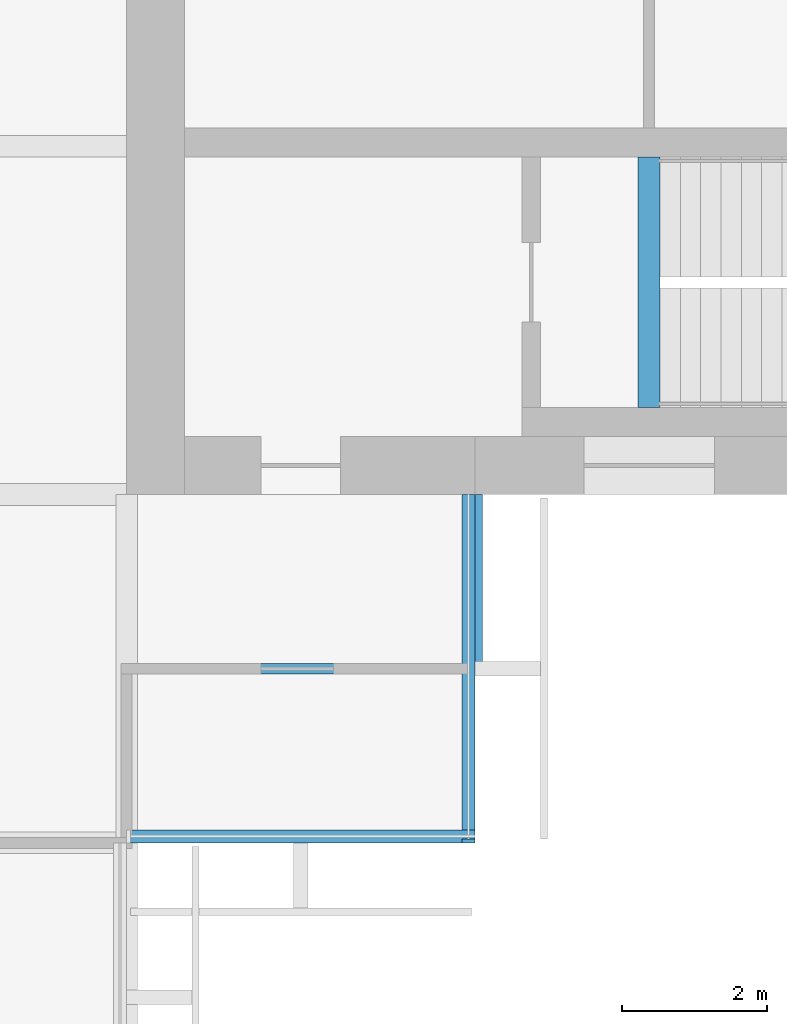
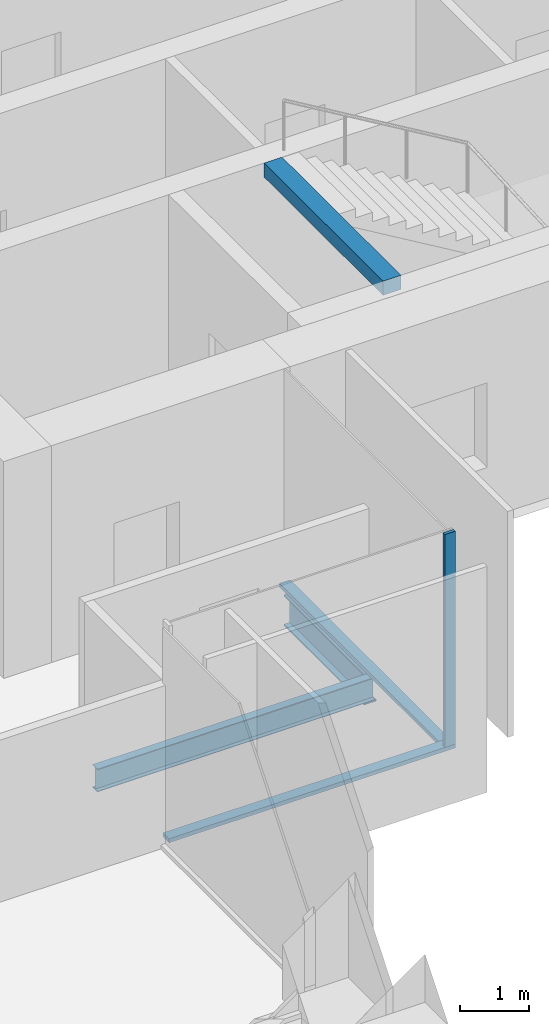
# One storey, part 4 of 13: 3 beams, 3 members, 2 elements without a shape of their own.
"""IFC4 building model written with IfcOpenShell, lengths in metres."""

from ifc_helpers import new_model, si_unit, direction, frame, origin, origin_2d, place, context, subcontext, project, spatial, rectangle, i_section, extrude, material, material_profile, profile_set, type_object, element, aggregate, save


model = new_model("IFC4")

# Units and contexts
model_context = context("Model", 3, precision=1e-05, world=origin(), true_north=direction((0.0, 1.0)))
body_context = subcontext(model_context, "Body", "Model", "MODEL_VIEW")
ifc_project = project(units=[si_unit("LENGTHUNIT", "METRE"), si_unit("AREAUNIT", "SQUARE_METRE"), si_unit("VOLUMEUNIT", "CUBIC_METRE"), si_unit("PLANEANGLEUNIT", "RADIAN"), si_unit("MASSUNIT", "GRAM", prefix="KILO")], contexts=[model_context])

# Site, building, storey
site_placement = place(None, origin())
site = spatial("IfcSite", under=ifc_project, at=site_placement, CompositionType="ELEMENT")
building_placement = place(site_placement, origin())
building = spatial("IfcBuilding", under=site, at=building_placement, Name="Baori Bourse Tower", CompositionType="ELEMENT")
storey_placement = place(building_placement, frame((0.0, 0.0, 237.199951171875)))
storey = spatial("IfcBuildingStorey", under=building, at=storey_placement, Name="L52", CompositionType="ELEMENT", Elevation=237.199951171875)

# Curtain wall, member
ifc_material_1 = material(Name="Pale anodised aluminium", Category="aluminium")
curtain_wall_type = type_object("IfcCurtainWallType", Name="CW2 Curtain wall", PredefinedType="NOTDEFINED", material=ifc_material_1)
curtain_wall_1_placement = place(storey_placement, origin())
curtain_wall_1 = element("IfcCurtainWall", 1, at=curtain_wall_1_placement, inside=storey, type_object=curtain_wall_type, Name="Curtain wall CW2 L52 14", PredefinedType="NOTDEFINED")
ifc_material_2 = material(Name="Pale anodised aluminium", Category="aluminium")
ifc_material_profile_1 = material_profile(ifc_material_2, rectangle(XDim=0.179931640625, YDim=0.054931640625, at=origin_2d()), Name="Mullion 55x180")
ifc_profile_set_1 = profile_set([ifc_material_profile_1], Name="Pale anodised aluminium")
member_type_1 = type_object("IfcMemberType", Name="CW2 Curtain wall mullion", PredefinedType="MULLION", material=ifc_profile_set_1)
member_1_placement = place(storey_placement, frame((43.110107421875, 4.827392578125, 0.070068359375), z_axis=(0.0, 0.0, 1.0), x_axis=(-1.0, 0.0, 0.0)))
member_1 = element("IfcMember", 2, at=member_1_placement, type_object=member_type_1, Name="Curtain wall CW2 mullion", PredefinedType="MULLION", context=body_context, shape_type="SweptSolid", body=[
    extrude(rectangle(XDim=0.179931640625, YDim=0.054931640625, at=origin_2d()), origin(), (0.0, 0.0, 1.0), 3.77001953125),
])

curtain_wall_2_placement = place(storey_placement, origin())
curtain_wall_2 = element("IfcCurtainWall", 3, at=curtain_wall_2_placement, inside=storey, type_object=curtain_wall_type, Name="Curtain wall CW2 L52 13", PredefinedType="NOTDEFINED")
ifc_material_3 = material(Name="Pale anodised aluminium", Category="aluminium")
ifc_material_profile_2 = material_profile(ifc_material_3, rectangle(XDim=0.179931640625, YDim=0.070068359375, at=origin_2d()), Name="Transom 70x180")
ifc_profile_set_2 = profile_set([ifc_material_profile_2], Name="Pale anodised aluminium")
member_type_2 = type_object("IfcMemberType", Name="CW2 Curtain wall transom", PredefinedType="USERDEFINED", material=ifc_profile_set_2)
member_2_placement = place(storey_placement, frame((38.39990234375, 4.889892578125, 0.03515625), z_axis=(1.0, 0.0, 0.0), x_axis=(0.0, 1.0, 0.0)))
member_2 = element("IfcMember", 4, at=member_2_placement, type_object=member_type_2, Name="Curtain wall CW2 sill rail", ObjectType="TRANSOM", PredefinedType="USERDEFINED", context=body_context, shape_type="SweptSolid", body=[
    extrude(rectangle(XDim=0.179931640625, YDim=0.070068359375, at=origin_2d()), origin(), (0.0, 0.0, 1.0), 4.800048828125),
])
aggregate(curtain_wall_2, [member_2])

# Member
member_3_placement = place(storey_placement, frame((43.110107421875, 4.800048828125, 0.03515625), z_axis=(0.0, 1.0, 0.0), x_axis=(-1.0, 0.0, 0.0)))
member_3 = element("IfcMember", 5, at=member_3_placement, type_object=member_type_2, Name="Curtain wall CW2 sill rail", ObjectType="TRANSOM", PredefinedType="USERDEFINED", context=body_context, shape_type="SweptSolid", body=[
    extrude(rectangle(XDim=0.179931640625, YDim=0.070068359375, at=origin_2d()), origin(), (0.0, 0.0, 1.0), 4.800048828125),
])

aggregate(curtain_wall_1, [member_3, member_1])

# Beams
ifc_material_4 = material(Name="Steel A992 Gr 50", Category="steel")
ifc_material_profile_3 = material_profile(ifc_material_4, i_section(OverallWidth=0.21240234375, OverallDepth=0.54345703125, WebThickness=0.01318359375, FlangeThickness=0.021240234375, at=origin_2d()), Name="W21x83")
ifc_profile_set_3 = profile_set([ifc_material_profile_3], Name="Steel A992 Gr 50")
beam_type_1 = type_object("IfcBeamType", Name="Core bracket W21x83", PredefinedType="BEAM", material=ifc_profile_set_3)
beam_1_placement = place(storey_placement, frame((43.199951171875, 7.270263671875, -0.431640625), z_axis=(0.0, 1.0, 0.0), x_axis=(-1.0, 0.0, 0.0)))
element("IfcBeam", 6, at=beam_1_placement, inside=storey, type_object=beam_type_1, Name="Core bracket L52", PredefinedType="BEAM", context=body_context, shape_type="SweptSolid", body=[
    extrude(i_section(OverallWidth=0.21240234375, OverallDepth=0.54345703125, WebThickness=0.01318359375, FlangeThickness=0.021240234375, at=origin_2d()), origin(), (0.0, 0.0, 1.0), 2.329833984375),
])
ifc_material_5 = material(Name="Concrete f'c 50 MPa", Category="concrete")
ifc_material_profile_4 = material_profile(ifc_material_5, rectangle(XDim=0.300048828125, YDim=0.25, at=origin_2d()), Name="RC 300x250")
ifc_profile_set_4 = profile_set([ifc_material_profile_4], Name="Concrete f'c 50 MPa")
beam_type_2 = type_object("IfcBeamType", Name="Stair nib beam RC 300x250", PredefinedType="BEAM", material=ifc_profile_set_4)
beam_2_placement = place(storey_placement, frame((45.60009765625, 10.800048828125, 3.715087890625), z_axis=(0.0, 1.0, 0.0), x_axis=(-1.0, 0.0, 0.0)))
element("IfcBeam", 7, at=beam_2_placement, inside=storey, type_object=beam_type_2, Name="Stair EA nib beam L53", PredefinedType="BEAM", context=body_context, shape_type="SweptSolid", body=[
    extrude(rectangle(XDim=0.300048828125, YDim=0.25, at=origin_2d()), origin(), (0.0, 0.0, 1.0), 3.449951171875),
])
ifc_material_6 = material(Name="Steel A992 Gr 50", Category="steel")
ifc_material_profile_5 = material_profile(ifc_material_6, i_section(OverallWidth=0.140380859375, OverallDepth=0.40380859375, WebThickness=0.007080078125, FlangeThickness=0.01123046875, at=origin_2d()), Name="W16x31")
ifc_profile_set_5 = profile_set([ifc_material_profile_5], Name="Steel A992 Gr 50")
beam_type_3 = type_object("IfcBeamType", Name="Trimmer beam W16x31", PredefinedType="BEAM", material=ifc_profile_set_5)
beam_3_placement = place(storey_placement, frame((38.546142578125, 7.199951171875, -0.36181640625), z_axis=(1.0, 0.0, 0.0), x_axis=(0.0, 1.0, 0.0)))
element("IfcBeam", 8, at=beam_3_placement, inside=storey, type_object=beam_type_3, Name="Trimmer beam L52", PredefinedType="BEAM", context=body_context, shape_type="SweptSolid", body=[
    extrude(i_section(OverallWidth=0.140380859375, OverallDepth=0.40380859375, WebThickness=0.007080078125, FlangeThickness=0.01123046875, at=origin_2d()), origin(), (0.0, 0.0, 1.0), 4.65380859375),
])

save(model, "model.ifc")
